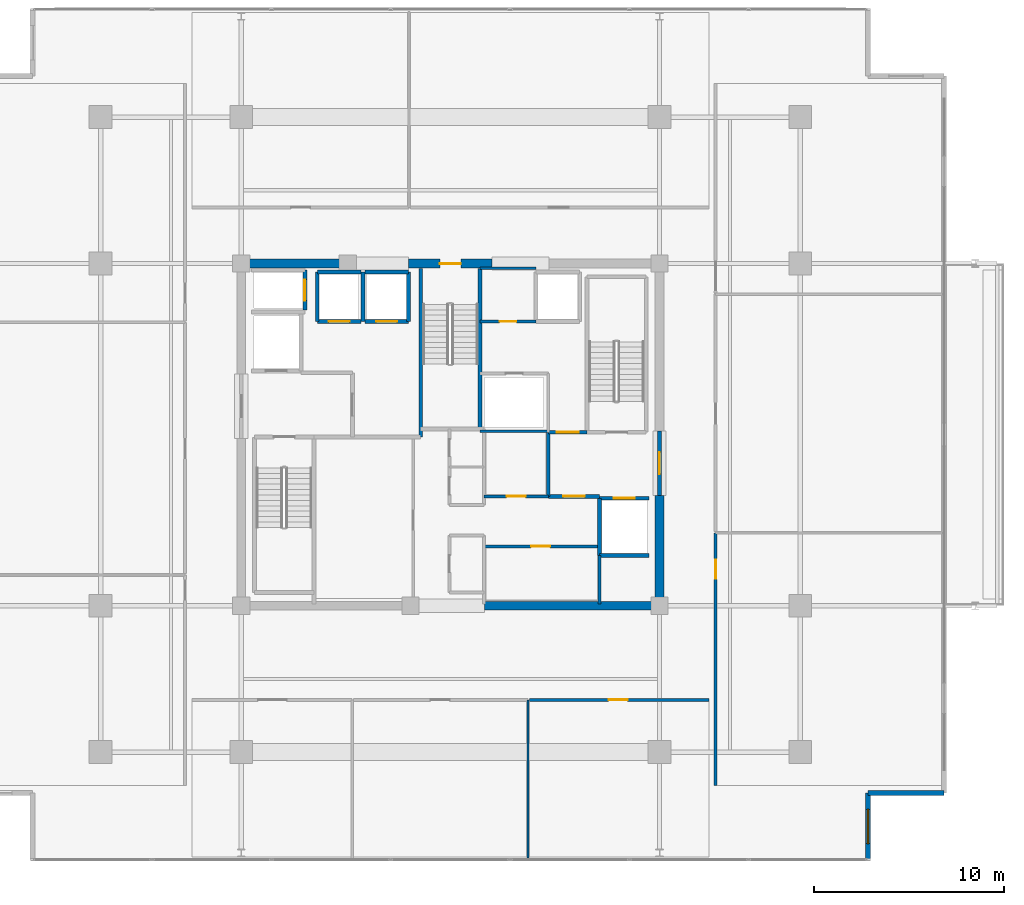
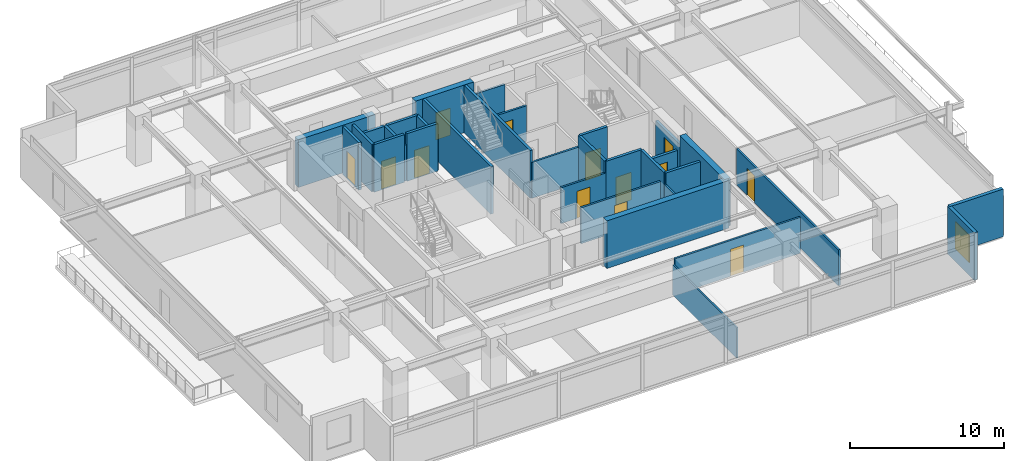
# One storey, part 15 of 21: 32 walls, 13 doors, 1 window, 14 openings.
"""IFC4 building model written with IfcOpenShell, lengths in metres."""

from ifc_helpers import new_model, si_unit, direction, frame, frame_2d, origin, place, context, subcontext, project, spatial, rectangle, extrude, material, layer, layer_set, type_object, element, fill, save


model = new_model("IFC4")

# Units and contexts
model_context = context("Model", 3, precision=1e-05, world=origin(), true_north=direction((0.0, 1.0)))
body_context = subcontext(model_context, "Body", "Model", "MODEL_VIEW")
ifc_project = project(units=[si_unit("LENGTHUNIT", "METRE"), si_unit("AREAUNIT", "SQUARE_METRE"), si_unit("VOLUMEUNIT", "CUBIC_METRE"), si_unit("PLANEANGLEUNIT", "RADIAN"), si_unit("MASSUNIT", "GRAM", prefix="KILO")], contexts=[model_context])

# Site, building, storey
site_placement = place(None, origin())
site = spatial("IfcSite", under=ifc_project, at=site_placement, CompositionType="ELEMENT")
building_placement = place(site_placement, origin())
building = spatial("IfcBuilding", under=site, at=building_placement, Name="Kovane Verandah Tower", CompositionType="ELEMENT")
storey_placement = place(building_placement, frame((0.0, 0.0, 275.199951171875)))
storey = spatial("IfcBuildingStorey", under=building, at=storey_placement, Name="L64", CompositionType="ELEMENT", Elevation=275.199951171875)

# Walls
ifc_material_1 = material(Name="Fire-Rated Gypsum Stud Partition", Category="gypsum")
ifc_layer_1 = layer(ifc_material_1, 0.14990234375)
ifc_layer_set_1 = layer_set([ifc_layer_1], Name="Fire-Rated Gypsum Stud Partition")
wall_type_1 = type_object("IfcWallType", Name="WL-COR-150", PredefinedType="PARTITIONING", material=ifc_layer_set_1)
wall_1_placement = place(storey_placement, frame((41.56005859375, 27.679931640625, 0.0), z_axis=(0.0, 0.0, 1.0), x_axis=(1.0, 0.0, 0.0)))
element("IfcWall", 1, at=wall_1_placement, inside=storey, type_object=wall_type_1, Name="L64 East Core Service Riser South Wall", PredefinedType="PARTITIONING", context=body_context, shape_type="SweptSolid", body=[
    extrude(rectangle(XDim=3.58984375, YDim=0.14990234375, at=frame_2d((1.794921875, 0.0))), origin(), (0.0, 0.0, 1.0), 2.85009765625),
])
wall_2_placement = place(storey_placement, frame((47.85009765625, 18.60009765625, 0.0), z_axis=(0.0, 0.0, 1.0), x_axis=(0.0, 1.0, 0.0)))
element("IfcWall", 2, at=wall_2_placement, inside=storey, type_object=wall_type_1, Name="L64 East Core Support East Wall", PredefinedType="PARTITIONING", context=body_context, shape_type="SweptSolid", body=[
    extrude(rectangle(XDim=2.539794921875, YDim=0.14990234375, at=frame_2d((1.27001953125, 0.0))), origin(), (0.0, 0.0, 1.0), 2.85009765625),
])

# Wall, opening, door
wall_3_placement = place(storey_placement, frame((41.760009765625, 21.6201171875, 0.0), z_axis=(0.0, 0.0, 1.0), x_axis=(1.0, 0.0, 0.0)))
wall_3 = element("IfcWall", 3, at=wall_3_placement, inside=storey, type_object=wall_type_1, Name="L64 Records Vault Room Partition", PredefinedType="PARTITIONING", context=body_context, shape_type="SweptSolid", body=[
    extrude(rectangle(XDim=5.97998046875, YDim=0.14990234375, at=frame_2d((2.989990234375, 0.0))), origin(), (0.0, 0.0, 1.0), 2.85009765625),
])
opening_1_placement = place(wall_3_placement, frame((2.489990234375, 0.0, 0.0)))
opening_1 = element("IfcOpeningElement", 4, at=opening_1_placement, cuts=wall_3, Name="Opening DR-L64-015", PredefinedType="OPENING", context=body_context, shape_type="SweptSolid", body=[
    extrude(rectangle(XDim=1.0, YDim=2.14990234375, at=frame_2d((0.5, 1.074951171875))), frame((0.0, 0.074951171875, 0.0), z_axis=(0.0, -1.0, 0.0), x_axis=(1.0, 0.0, 0.0)), (0.0, 0.0, 1.0), 0.14990234375),
])
ifc_material_2 = material(Name="FSC Spotted-Gum Timber Fire-Rated Office Door", Category="wood")
door_type_1 = type_object("IfcDoorType", Name="DR-OFF-1000", OperationType="SINGLE_SWING_LEFT", PredefinedType="DOOR", material=ifc_material_2)
door_1_placement = place(opening_1_placement, origin())
door_1 = element("IfcDoor", 5, at=door_1_placement, inside=storey, type_object=door_type_1, Name="L64 Records Vault Room Door", OperationType="SINGLE_SWING_RIGHT", OverallHeight=2.14990234375, OverallWidth=1.0, PredefinedType="DOOR", context=body_context, shape_type="SweptSolid", body=[
    extrude(rectangle(XDim=1.0, YDim=2.14990234375, at=frame_2d((0.5, 1.074951171875))), frame((0.0, 0.02490234375, 0.0), z_axis=(0.0, -1.0, 0.0), x_axis=(1.0, 0.0, 0.0)), (0.0, 0.0, 1.0), 0.050048828125),
])
fill(opening_1, door_1)

wall_4_placement = place(storey_placement, frame((41.760009765625, 24.25, 0.0), z_axis=(0.0, 0.0, 1.0), x_axis=(1.0, 0.0, 0.0)))
wall_4 = element("IfcWall", 6, at=wall_4_placement, inside=storey, type_object=wall_type_1, Name="L64 Document Archive Room Partition", PredefinedType="PARTITIONING", context=body_context, shape_type="SweptSolid", body=[
    extrude(rectangle(XDim=3.389892578125, YDim=0.14990234375, at=frame_2d((1.69482421875, 0.0))), origin(), (0.0, 0.0, 1.0), 2.85009765625),
])
opening_2_placement = place(wall_4_placement, frame((1.195068359375, 0.0, 0.0)))
opening_2 = element("IfcOpeningElement", 7, at=opening_2_placement, cuts=wall_4, Name="Opening DR-L64-016", PredefinedType="OPENING", context=body_context, shape_type="SweptSolid", body=[
    extrude(rectangle(XDim=1.0, YDim=2.14990234375, at=frame_2d((0.5, 1.074951171875))), frame((0.0, 0.074951171875, 0.0), z_axis=(0.0, -1.0, 0.0), x_axis=(1.0, 0.0, 0.0)), (0.0, 0.0, 1.0), 0.14990234375),
])
door_2_placement = place(opening_2_placement, origin())
door_2 = element("IfcDoor", 8, at=door_2_placement, inside=storey, type_object=door_type_1, Name="L64 Document Archive Room Door", OperationType="SINGLE_SWING_LEFT", OverallHeight=2.14990234375, OverallWidth=1.0, PredefinedType="DOOR", context=body_context, shape_type="SweptSolid", body=[
    extrude(rectangle(XDim=1.0, YDim=2.14990234375, at=frame_2d((0.5, 1.074951171875))), frame((0.0, 0.02490234375, 0.0), z_axis=(0.0, -1.0, 0.0), x_axis=(1.0, 0.0, 0.0)), (0.0, 0.0, 1.0), 0.050048828125),
])
fill(opening_2, door_2)

# Wall
wall_5_placement = place(storey_placement, frame((41.56005859375, 36.25, 0.0), z_axis=(0.0, 0.0, 1.0), x_axis=(1.0, 0.0, 0.0)))
element("IfcWall", 9, at=wall_5_placement, inside=storey, type_object=wall_type_1, Name="L64 Sky Telecom Riser North Wall", PredefinedType="PARTITIONING", context=body_context, shape_type="SweptSolid", body=[
    extrude(rectangle(XDim=2.93994140625, YDim=0.14990234375, at=frame_2d((1.469970703125, 0.0))), origin(), (0.0, 0.0, 1.0), 2.85009765625),
])

# Wall, opening, door
wall_6_placement = place(storey_placement, frame((41.56005859375, 33.449951171875, 0.0), z_axis=(0.0, 0.0, 1.0), x_axis=(1.0, 0.0, 0.0)))
wall_6 = element("IfcWall", 10, at=wall_6_placement, inside=storey, type_object=wall_type_1, Name="L64 Sky Telecom Riser Room Partition", PredefinedType="PARTITIONING", context=body_context, shape_type="SweptSolid", body=[
    extrude(rectangle(XDim=2.93994140625, YDim=0.14990234375, at=frame_2d((1.469970703125, 0.0))), origin(), (0.0, 0.0, 1.0), 2.85009765625),
])
opening_3_placement = place(wall_6_placement, frame((1.030029296875, 0.0, 0.0)))
opening_3 = element("IfcOpeningElement", 11, at=opening_3_placement, cuts=wall_6, Name="Opening DR-L64-017", PredefinedType="OPENING", context=body_context, shape_type="SweptSolid", body=[
    extrude(rectangle(XDim=0.8798828125, YDim=2.10009765625, at=frame_2d((0.43994140625, 1.050048828125))), frame((0.0, 0.074951171875, 0.0), z_axis=(0.0, -1.0, 0.0), x_axis=(1.0, 0.0, 0.0)), (0.0, 0.0, 1.0), 0.14990234375),
])
ifc_material_3 = material(Name="Fire-Rated Steel Riser Access Door", Category="steel")
door_type_2 = type_object("IfcDoorType", Name="DR-RISER-880", OperationType="SINGLE_SWING_LEFT", PredefinedType="DOOR", material=ifc_material_3)
door_3_placement = place(opening_3_placement, origin())
door_3 = element("IfcDoor", 12, at=door_3_placement, inside=storey, type_object=door_type_2, Name="L64 Sky Telecom Riser Room Door", OperationType="SINGLE_SWING_LEFT", OverallHeight=2.10009765625, OverallWidth=0.8798828125, PredefinedType="DOOR", context=body_context, shape_type="SweptSolid", body=[
    extrude(rectangle(XDim=0.8798828125, YDim=2.10009765625, at=frame_2d((0.43994140625, 1.050048828125))), frame((0.0, 0.02490234375, 0.0), z_axis=(0.0, -1.0, 0.0), x_axis=(1.0, 0.0, 0.0)), (0.0, 0.0, 1.0), 0.050048828125),
])
fill(opening_3, door_3)

wall_7_placement = place(storey_placement, frame((44.14990234375, 13.550048828125, 0.0), z_axis=(0.0, 0.0, 1.0), x_axis=(1.0, 0.0, 0.0)))
wall_7 = element("IfcWall", 13, at=wall_7_placement, inside=storey, type_object=wall_type_1, Name="L64 Focus Studio S3 Corridor Partition", PredefinedType="PARTITIONING", context=body_context, shape_type="SweptSolid", body=[
    extrude(rectangle(XDim=9.4501953125, YDim=0.14990234375, at=frame_2d((4.72509765625, 0.0))), origin(), (0.0, 0.0, 1.0), 2.85009765625),
])
opening_4_placement = place(wall_7_placement, frame((4.175048828125, 0.0, 0.0)))
opening_4 = element("IfcOpeningElement", 14, at=opening_4_placement, cuts=wall_7, Name="Opening DR-L64-023", PredefinedType="OPENING", context=body_context, shape_type="SweptSolid", body=[
    extrude(rectangle(XDim=1.0, YDim=2.14990234375, at=frame_2d((0.5, 1.074951171875))), frame((0.0, 0.074951171875, 0.0), z_axis=(0.0, -1.0, 0.0), x_axis=(1.0, 0.0, 0.0)), (0.0, 0.0, 1.0), 0.14990234375),
])
door_4_placement = place(opening_4_placement, origin())
door_4 = element("IfcDoor", 15, at=door_4_placement, inside=storey, type_object=door_type_1, Name="L64 Focus Studio S3 Entrance Door", OperationType="SINGLE_SWING_RIGHT", OverallHeight=2.14990234375, OverallWidth=1.0, PredefinedType="DOOR", context=body_context, shape_type="SweptSolid", body=[
    extrude(rectangle(XDim=1.0, YDim=2.14990234375, at=frame_2d((0.5, 1.074951171875))), frame((0.0, 0.02490234375, 0.0), z_axis=(0.0, -1.0, 0.0), x_axis=(1.0, 0.0, 0.0)), (0.0, 0.0, 1.0), 0.050048828125),
])
fill(opening_4, door_4)

wall_8_placement = place(storey_placement, frame((53.949951171875, 9.039794921875, 0.0), z_axis=(0.0, 0.0, 1.0), x_axis=(0.0, 1.0, 0.0)))
wall_8 = element("IfcWall", 16, at=wall_8_placement, inside=storey, type_object=wall_type_1, Name="L64 Open Plan Office E1 Corridor Partition", PredefinedType="PARTITIONING", context=body_context, shape_type="SweptSolid", body=[
    extrude(rectangle(XDim=13.29150390625, YDim=0.14990234375, at=frame_2d((6.645751953125, 0.0))), origin(), (0.0, 0.0, 1.0), 2.85009765625),
])
opening_5_placement = place(wall_8_placement, frame((10.890625, 0.0, 0.0)))
opening_5 = element("IfcOpeningElement", 17, at=opening_5_placement, cuts=wall_8, Name="Opening DR-L64-011", PredefinedType="OPENING", context=body_context, shape_type="SweptSolid", body=[
    extrude(rectangle(XDim=1.0, YDim=2.14990234375, at=frame_2d((0.5, 1.074951171875))), frame((0.0, 0.074951171875, 0.0), z_axis=(0.0, -1.0, 0.0), x_axis=(1.0, 0.0, 0.0)), (0.0, 0.0, 1.0), 0.14990234375),
])
door_5_placement = place(opening_5_placement, origin())
door_5 = element("IfcDoor", 18, at=door_5_placement, inside=storey, type_object=door_type_1, Name="L64 Open Plan Office E1 Entrance Door", OperationType="SINGLE_SWING_RIGHT", OverallHeight=2.14990234375, OverallWidth=1.0, PredefinedType="DOOR", context=body_context, shape_type="SweptSolid", body=[
    extrude(rectangle(XDim=1.0, YDim=2.14990234375, at=frame_2d((0.5, 1.074951171875))), frame((0.0, 0.02490234375, 0.0), z_axis=(0.0, -1.0, 0.0), x_axis=(1.0, 0.0, 0.0)), (0.0, 0.0, 1.0), 0.050048828125),
])
fill(opening_5, door_5)

# Walls
ifc_material_4 = material(Name="Concrete C60/75", Category="concrete")
ifc_layer_2 = layer(ifc_material_4, 0.449951171875)
ifc_layer_set_2 = layer_set([ifc_layer_2], Name="Concrete C60/75")
wall_type_2 = type_object("IfcWallType", Name="WL-CORE-450", PredefinedType="SHEAR", material=ifc_layer_set_2)
wall_9_placement = place(storey_placement, frame((41.800048828125, 18.5, 0.0), z_axis=(0.0, 0.0, 1.0), x_axis=(1.0, 0.0, 0.0)))
element("IfcWall", 19, at=wall_9_placement, inside=storey, type_object=wall_type_2, Name="L64 Core Shear Wall CS-2", PredefinedType="SHEAR", context=body_context, shape_type="SweptSolid", body=[
    extrude(rectangle(XDim=9.199951171875, YDim=0.449951171875, at=frame_2d((4.60009765625, 0.0))), origin(), (0.0, 0.0, 1.0), 3.78515625),
])
wall_10_placement = place(storey_placement, frame((29.0, 36.5, 0.0), z_axis=(0.0, 0.0, 1.0), x_axis=(1.0, 0.0, 0.0)))
element("IfcWall", 20, at=wall_10_placement, inside=storey, type_object=wall_type_2, Name="L64 Core Shear Wall CN-1", PredefinedType="SHEAR", context=body_context, shape_type="SweptSolid", body=[
    extrude(rectangle(XDim=5.800048828125, YDim=0.449951171875, at=frame_2d((2.89990234375, 0.0))), origin(), (0.0, 0.0, 1.0), 3.78515625),
])

# Wall, opening, door
wall_11_placement = place(storey_placement, frame((37.800048828125, 36.5, 0.0), z_axis=(0.0, 0.0, 1.0), x_axis=(1.0, 0.0, 0.0)))
wall_11 = element("IfcWall", 21, at=wall_11_placement, inside=storey, type_object=wall_type_2, Name="L64 Core Shear Wall CN-2", PredefinedType="SHEAR", context=body_context, shape_type="SweptSolid", body=[
    extrude(rectangle(XDim=4.39990234375, YDim=0.449951171875, at=frame_2d((2.199951171875, 0.0))), origin(), (0.0, 0.0, 1.0), 3.78515625),
])
opening_6_placement = place(wall_11_placement, frame((1.64990234375, 0.0, 0.0)))
opening_6 = element("IfcOpeningElement", 22, at=opening_6_placement, cuts=wall_11, Name="Opening DR-L64-010", PredefinedType="OPENING", context=body_context, shape_type="SweptSolid", body=[
    extrude(rectangle(XDim=1.10009765625, YDim=2.14990234375, at=frame_2d((0.550048828125, 1.074951171875))), frame((0.0, 0.22509765625, 0.0), z_axis=(0.0, -1.0, 0.0), x_axis=(1.0, 0.0, 0.0)), (0.0, 0.0, 1.0), 0.449951171875),
])
ifc_material_5 = material(Name="Fire-Rated Steel Exit Door", Category="steel")
door_type_3 = type_object("IfcDoorType", Name="DR-STAIR-1100", OperationType="SINGLE_SWING_LEFT", PredefinedType="DOOR", material=ifc_material_5)
door_6_placement = place(opening_6_placement, origin())
door_6 = element("IfcDoor", 23, at=door_6_placement, inside=storey, type_object=door_type_3, Name="L64 ST-03 Fire Exit Stair Door", OperationType="SINGLE_SWING_LEFT", OverallHeight=2.14990234375, OverallWidth=1.10009765625, PredefinedType="DOOR", context=body_context, shape_type="SweptSolid", body=[
    extrude(rectangle(XDim=1.10009765625, YDim=2.14990234375, at=frame_2d((0.550048828125, 1.074951171875))), frame((0.0, 0.02490234375, 0.0), z_axis=(0.0, -1.0, 0.0), x_axis=(1.0, 0.0, 0.0)), (0.0, 0.0, 1.0), 0.050048828125),
])
fill(opening_6, door_6)

# Walls
wall_12_placement = place(storey_placement, frame((51.0, 18.5, 0.0), z_axis=(0.0, 0.0, 1.0), x_axis=(0.0, 1.0, 0.0)))
element("IfcWall", 24, at=wall_12_placement, inside=storey, type_object=wall_type_2, Name="L64 Core Shear Wall CE-1", PredefinedType="SHEAR", context=body_context, shape_type="SweptSolid", body=[
    extrude(rectangle(XDim=5.800048828125, YDim=0.449951171875, at=frame_2d((2.89990234375, 0.0))), origin(), (0.0, 0.0, 1.0), 3.78515625),
])
ifc_material_6 = material(Name="Concrete C45/55 Fire Wall", Category="concrete")
ifc_layer_3 = layer(ifc_material_6, 0.199951171875)
ifc_layer_set_3 = layer_set([ifc_layer_3], Name="Concrete C45/55 Fire Wall")
wall_type_3 = type_object("IfcWallType", Name="WL-FFL-200", PredefinedType="PARTITIONING", material=ifc_layer_set_3)
wall_13_placement = place(storey_placement, frame((45.14990234375, 24.25, 0.0), z_axis=(0.0, 0.0, 1.0), x_axis=(0.0, 1.0, 0.0)))
element("IfcWall", 25, at=wall_13_placement, inside=storey, type_object=wall_type_3, Name="L64 East Firefighting Lobby West Fire Wall", PredefinedType="PARTITIONING", context=body_context, shape_type="SweptSolid", body=[
    extrude(rectangle(XDim=3.3701171875, YDim=0.199951171875, at=frame_2d((1.68505859375, 0.0))), origin(), (0.0, 0.0, 1.0), 3.78515625),
])

# Wall, opening, door
wall_14_placement = place(storey_placement, frame((45.14990234375, 24.25, 0.0), z_axis=(0.0, 0.0, 1.0), x_axis=(1.0, 0.0, 0.0)))
wall_14 = element("IfcWall", 26, at=wall_14_placement, inside=storey, type_object=wall_type_3, Name="W-L64-FFLE-S", PredefinedType="PARTITIONING", context=body_context, shape_type="SweptSolid", body=[
    extrude(rectangle(XDim=2.7001953125, YDim=0.199951171875, at=frame_2d((1.35009765625, 0.0))), origin(), (0.0, 0.0, 1.0), 3.78515625),
])
opening_7_placement = place(wall_14_placement, frame((0.77490234375, 0.0, 0.0)))
opening_7 = element("IfcOpeningElement", 27, at=opening_7_placement, cuts=wall_14, Name="Opening DR-L64-003", PredefinedType="OPENING", context=body_context, shape_type="SweptSolid", body=[
    extrude(rectangle(XDim=1.14990234375, YDim=2.199951171875, at=frame_2d((0.574951171875, 1.10009765625))), frame((0.0, 0.10009765625, 0.0), z_axis=(0.0, -1.0, 0.0), x_axis=(1.0, 0.0, 0.0)), (0.0, 0.0, 1.0), 0.199951171875),
])
ifc_material_7 = material(Name="Smoke-Sealed Firefighting Lobby Door", Category="steel")
door_type_4 = type_object("IfcDoorType", Name="DR-FFL-1150", OperationType="SINGLE_SWING_LEFT", PredefinedType="DOOR", material=ifc_material_7)
door_7_placement = place(opening_7_placement, origin())
door_7 = element("IfcDoor", 28, at=door_7_placement, inside=storey, type_object=door_type_4, Name="L64 East Firefighting Lobby Inner Door", OperationType="SINGLE_SWING_RIGHT", OverallHeight=2.199951171875, OverallWidth=1.14990234375, PredefinedType="DOOR", context=body_context, shape_type="SweptSolid", body=[
    extrude(rectangle(XDim=1.14990234375, YDim=2.199951171875, at=frame_2d((0.574951171875, 1.10009765625))), frame((0.0, 0.02490234375, 0.0), z_axis=(0.0, -1.0, 0.0), x_axis=(1.0, 0.0, 0.0)), (0.0, 0.0, 1.0), 0.050048828125),
])
fill(opening_7, door_7)

wall_15_placement = place(storey_placement, frame((45.14990234375, 27.6201171875, 0.0), z_axis=(0.0, 0.0, 1.0), x_axis=(1.0, 0.0, 0.0)))
wall_15 = element("IfcWall", 29, at=wall_15_placement, inside=storey, type_object=wall_type_3, Name="W-L64-FFLE-N", PredefinedType="PARTITIONING", context=body_context, shape_type="SweptSolid", body=[
    extrude(rectangle(XDim=2.030029296875, YDim=0.199951171875, at=frame_2d((1.01513671875, 0.0))), origin(), (0.0, 0.0, 1.0), 3.78515625),
])
opening_8_placement = place(wall_15_placement, frame((0.43994140625, 0.0, 0.0)))
opening_8 = element("IfcOpeningElement", 30, at=opening_8_placement, cuts=wall_15, Name="Opening DR-L64-004", PredefinedType="OPENING", context=body_context, shape_type="SweptSolid", body=[
    extrude(rectangle(XDim=1.14990234375, YDim=2.199951171875, at=frame_2d((0.574951171875, 1.10009765625))), frame((0.0, 0.10009765625, 0.0), z_axis=(0.0, -1.0, 0.0), x_axis=(1.0, 0.0, 0.0)), (0.0, 0.0, 1.0), 0.199951171875),
])
door_8_placement = place(opening_8_placement, origin())
door_8 = element("IfcDoor", 31, at=door_8_placement, inside=storey, type_object=door_type_4, Name="L64 East Firefighting Lobby Shuttle Link Door", OperationType="SINGLE_SWING_LEFT", OverallHeight=2.199951171875, OverallWidth=1.14990234375, PredefinedType="DOOR", context=body_context, shape_type="SweptSolid", body=[
    extrude(rectangle(XDim=1.14990234375, YDim=2.199951171875, at=frame_2d((0.574951171875, 1.10009765625))), frame((0.0, 0.02490234375, 0.0), z_axis=(0.0, -1.0, 0.0), x_axis=(1.0, 0.0, 0.0)), (0.0, 0.0, 1.0), 0.050048828125),
])
fill(opening_8, door_8)

wall_16_placement = place(storey_placement, frame((51.0, 24.300048828125, 0.0), z_axis=(0.0, 0.0, 1.0), x_axis=(0.0, 1.0, 0.0)))
wall_16 = element("IfcWall", 32, at=wall_16_placement, inside=storey, type_object=wall_type_3, Name="W-L64-FFLE-OUT", PredefinedType="PARTITIONING", context=body_context, shape_type="SweptSolid", body=[
    extrude(rectangle(XDim=3.39990234375, YDim=0.199951171875, at=frame_2d((1.699951171875, 0.0))), origin(), (0.0, 0.0, 1.0), 2.864990234375),
])
opening_9_placement = place(wall_16_placement, frame((1.125, 0.0, 0.0)))
opening_9 = element("IfcOpeningElement", 33, at=opening_9_placement, cuts=wall_16, Name="Opening DR-L64-005", PredefinedType="OPENING", context=body_context, shape_type="SweptSolid", body=[
    extrude(rectangle(XDim=1.14990234375, YDim=2.199951171875, at=frame_2d((0.574951171875, 1.10009765625))), frame((0.0, 0.10009765625, 0.0), z_axis=(0.0, -1.0, 0.0), x_axis=(1.0, 0.0, 0.0)), (0.0, 0.0, 1.0), 0.199951171875),
])
door_9_placement = place(opening_9_placement, origin())
door_9 = element("IfcDoor", 34, at=door_9_placement, inside=storey, type_object=door_type_4, Name="L64 East Firefighting Lobby Corridor Door", OperationType="SINGLE_SWING_LEFT", OverallHeight=2.199951171875, OverallWidth=1.14990234375, PredefinedType="DOOR", context=body_context, shape_type="SweptSolid", body=[
    extrude(rectangle(XDim=1.14990234375, YDim=2.199951171875, at=frame_2d((0.574951171875, 1.10009765625))), frame((0.0, 0.02490234375, 0.0), z_axis=(0.0, -1.0, 0.0), x_axis=(1.0, 0.0, 0.0)), (0.0, 0.0, 1.0), 0.050048828125),
])
fill(opening_9, door_9)

# Wall
ifc_material_8 = material(Name="Concrete C45/55 Lift Shaft Wall", Category="concrete")
ifc_layer_4 = layer(ifc_material_8, 0.199951171875)
ifc_layer_set_4 = layer_set([ifc_layer_4], Name="Concrete C45/55 Lift Shaft Wall")
wall_type_4 = type_object("IfcWallType", Name="WL-LIFT-200", PredefinedType="SOLIDWALL", material=ifc_layer_set_4)
wall_17_placement = place(storey_placement, frame((47.85009765625, 21.14990234375, 0.0), z_axis=(0.0, 0.0, 1.0), x_axis=(1.0, 0.0, 0.0)))
element("IfcWall", 35, at=wall_17_placement, inside=storey, type_object=wall_type_4, Name="L64 Lift FL-02 S Shaft Wall", PredefinedType="SOLIDWALL", context=body_context, shape_type="SweptSolid", body=[
    extrude(rectangle(XDim=2.599853515625, YDim=0.199951171875, at=frame_2d((1.2998046875, 0.0))), origin(), (0.0, 0.0, 1.0), 3.78515625),
])

# Wall, opening, door
wall_18_placement = place(storey_placement, frame((50.449951171875, 24.14990234375, 0.0), z_axis=(0.0, 0.0, 1.0), x_axis=(-1.0, 0.0, 0.0)))
wall_18 = element("IfcWall", 36, at=wall_18_placement, inside=storey, type_object=wall_type_4, Name="L64 Lift FL-02 N Shaft Wall", PredefinedType="SOLIDWALL", context=body_context, shape_type="SweptSolid", body=[
    extrude(rectangle(XDim=2.599853515625, YDim=0.199951171875, at=frame_2d((1.2998046875, 0.0))), origin(), (0.0, 0.0, 1.0), 2.864990234375),
])
opening_10_placement = place(wall_18_placement, frame((0.75, 0.0, 0.0)))
opening_10 = element("IfcOpeningElement", 37, at=opening_10_placement, cuts=wall_18, Name="Opening LD-L64-002", PredefinedType="OPENING", context=body_context, shape_type="SweptSolid", body=[
    extrude(rectangle(XDim=1.10009765625, YDim=2.199951171875, at=frame_2d((0.550048828125, 1.10009765625))), frame((0.0, 0.10009765625, 0.0), z_axis=(0.0, -1.0, 0.0), x_axis=(1.0, 0.0, 0.0)), (0.0, 0.0, 1.0), 0.199951171875),
])
ifc_material_9 = material(Name="Brushed Stainless Steel Sliding Lift Landing Door", Category="steel")
door_type_5 = type_object("IfcDoorType", Name="DR-LIFT-1100", OperationType="SLIDING_TO_RIGHT", PredefinedType="DOOR", material=ifc_material_9)
door_10_placement = place(opening_10_placement, origin())
door_10 = element("IfcDoor", 38, at=door_10_placement, inside=storey, type_object=door_type_5, Name="L64 Lift FL-02 Sliding Landing Door", OperationType="SLIDING_TO_RIGHT", OverallHeight=2.199951171875, OverallWidth=1.10009765625, PredefinedType="DOOR", context=body_context, shape_type="SweptSolid", body=[
    extrude(rectangle(XDim=1.10009765625, YDim=2.199951171875, at=frame_2d((0.550048828125, 1.10009765625))), frame((0.0, 0.02490234375, 0.0), z_axis=(0.0, -1.0, 0.0), x_axis=(1.0, 0.0, 0.0)), (0.0, 0.0, 1.0), 0.050048828125),
])
fill(opening_10, door_10)

# Wall
wall_19_placement = place(storey_placement, frame((47.85009765625, 24.14990234375, 0.0), z_axis=(0.0, 0.0, 1.0), x_axis=(0.0, -1.0, 0.0)))
element("IfcWall", 39, at=wall_19_placement, inside=storey, type_object=wall_type_4, Name="L64 Lift FL-02 W Shaft Wall", PredefinedType="SOLIDWALL", context=body_context, shape_type="SweptSolid", body=[
    extrude(rectangle(XDim=3.0, YDim=0.199951171875, at=frame_2d((1.5, 0.0))), origin(), (0.0, 0.0, 1.0), 3.78515625),
])

# Wall, opening, door
wall_20_placement = place(storey_placement, frame((32.35009765625, 34.050048828125, 0.0), z_axis=(0.0, 0.0, 1.0), x_axis=(0.0, 1.0, 0.0)))
wall_20 = element("IfcWall", 40, at=wall_20_placement, inside=storey, type_object=wall_type_4, Name="L64 Lift GL-01 E Shaft Wall", PredefinedType="SOLIDWALL", context=body_context, shape_type="SweptSolid", body=[
    extrude(rectangle(XDim=2.099853515625, YDim=0.199951171875, at=frame_2d((1.0498046875, 0.0))), origin(), (0.0, 0.0, 1.0), 3.78515625),
])
opening_11_placement = place(wall_20_placement, frame((0.5, 0.0, 0.0)))
opening_11 = element("IfcOpeningElement", 41, at=opening_11_placement, cuts=wall_20, Name="Opening LD-L64-003", PredefinedType="OPENING", context=body_context, shape_type="SweptSolid", body=[
    extrude(rectangle(XDim=1.10009765625, YDim=2.199951171875, at=frame_2d((0.550048828125, 1.10009765625))), frame((0.0, 0.10009765625, 0.0), z_axis=(0.0, -1.0, 0.0), x_axis=(1.0, 0.0, 0.0)), (0.0, 0.0, 1.0), 0.199951171875),
])
door_11_placement = place(opening_11_placement, origin())
door_11 = element("IfcDoor", 42, at=door_11_placement, inside=storey, type_object=door_type_5, Name="L64 Lift GL-01 Sliding Landing Door", OperationType="SLIDING_TO_RIGHT", OverallHeight=2.199951171875, OverallWidth=1.10009765625, PredefinedType="DOOR", context=body_context, shape_type="SweptSolid", body=[
    extrude(rectangle(XDim=1.10009765625, YDim=2.199951171875, at=frame_2d((0.550048828125, 1.10009765625))), frame((0.0, 0.02490234375, 0.0), z_axis=(0.0, -1.0, 0.0), x_axis=(1.0, 0.0, 0.0)), (0.0, 0.0, 1.0), 0.050048828125),
])
fill(opening_11, door_11)

wall_21_placement = place(storey_placement, frame((33.0, 33.449951171875, 0.0), z_axis=(0.0, 0.0, 1.0), x_axis=(1.0, 0.0, 0.0)))
wall_21 = element("IfcWall", 43, at=wall_21_placement, inside=storey, type_object=wall_type_4, Name="L64 Lift PL-H1 S Shaft Wall", PredefinedType="SOLIDWALL", context=body_context, shape_type="SweptSolid", body=[
    extrude(rectangle(XDim=2.300048828125, YDim=0.199951171875, at=frame_2d((1.14990234375, 0.0))), origin(), (0.0, 0.0, 1.0), 3.78515625),
])
opening_12_placement = place(wall_21_placement, frame((0.60009765625, 0.0, 0.0)))
opening_12 = element("IfcOpeningElement", 44, at=opening_12_placement, cuts=wall_21, Name="Opening LD-L64-004", PredefinedType="OPENING", context=body_context, shape_type="SweptSolid", body=[
    extrude(rectangle(XDim=1.10009765625, YDim=2.199951171875, at=frame_2d((0.550048828125, 1.10009765625))), frame((0.0, 0.10009765625, 0.0), z_axis=(0.0, -1.0, 0.0), x_axis=(1.0, 0.0, 0.0)), (0.0, 0.0, 1.0), 0.199951171875),
])
door_12_placement = place(opening_12_placement, origin())
door_12 = element("IfcDoor", 45, at=door_12_placement, inside=storey, type_object=door_type_5, Name="L64 Lift PL-H1 Sliding Landing Door", OperationType="SLIDING_TO_RIGHT", OverallHeight=2.199951171875, OverallWidth=1.10009765625, PredefinedType="DOOR", context=body_context, shape_type="SweptSolid", body=[
    extrude(rectangle(XDim=1.10009765625, YDim=2.199951171875, at=frame_2d((0.550048828125, 1.10009765625))), frame((0.0, 0.02490234375, 0.0), z_axis=(0.0, -1.0, 0.0), x_axis=(1.0, 0.0, 0.0)), (0.0, 0.0, 1.0), 0.050048828125),
])
fill(opening_12, door_12)

# Walls
wall_22_placement = place(storey_placement, frame((35.300048828125, 36.050048828125, 0.0), z_axis=(0.0, 0.0, 1.0), x_axis=(-1.0, 0.0, 0.0)))
element("IfcWall", 46, at=wall_22_placement, inside=storey, type_object=wall_type_4, Name="L64 Lift PL-H1 N Shaft Wall", PredefinedType="SOLIDWALL", context=body_context, shape_type="SweptSolid", body=[
    extrude(rectangle(XDim=2.300048828125, YDim=0.199951171875, at=frame_2d((1.14990234375, 0.0))), origin(), (0.0, 0.0, 1.0), 2.864990234375),
])
wall_23_placement = place(storey_placement, frame((33.0, 36.050048828125, 0.0), z_axis=(0.0, 0.0, 1.0), x_axis=(0.0, -1.0, 0.0)))
element("IfcWall", 47, at=wall_23_placement, inside=storey, type_object=wall_type_4, Name="L64 Lift PL-H1 W Shaft Wall", PredefinedType="SOLIDWALL", context=body_context, shape_type="SweptSolid", body=[
    extrude(rectangle(XDim=2.60009765625, YDim=0.199951171875, at=frame_2d((1.300048828125, 0.0))), origin(), (0.0, 0.0, 1.0), 3.78515625),
])
wall_24_placement = place(storey_placement, frame((35.39990234375, 33.449951171875, 0.0), z_axis=(0.0, 0.0, 1.0), x_axis=(0.0, 1.0, 0.0)))
element("IfcWall", 48, at=wall_24_placement, inside=storey, type_object=wall_type_4, Name="L64 Lift PL-H1 and PL-H2 Shared Shaft Wall", PredefinedType="SOLIDWALL", context=body_context, shape_type="SweptSolid", body=[
    extrude(rectangle(XDim=2.60009765625, YDim=0.199951171875, at=frame_2d((1.300048828125, 0.0))), origin(), (0.0, 0.0, 1.0), 2.864990234375),
])

# Wall, opening, door
wall_25_placement = place(storey_placement, frame((35.5, 33.449951171875, 0.0), z_axis=(0.0, 0.0, 1.0), x_axis=(1.0, 0.0, 0.0)))
wall_25 = element("IfcWall", 49, at=wall_25_placement, inside=storey, type_object=wall_type_4, Name="L64 Lift PL-H2 S Shaft Wall", PredefinedType="SOLIDWALL", context=body_context, shape_type="SweptSolid", body=[
    extrude(rectangle(XDim=2.300048828125, YDim=0.199951171875, at=frame_2d((1.14990234375, 0.0))), origin(), (0.0, 0.0, 1.0), 3.78515625),
])
opening_13_placement = place(wall_25_placement, frame((0.60009765625, 0.0, 0.0)))
opening_13 = element("IfcOpeningElement", 50, at=opening_13_placement, cuts=wall_25, Name="Opening LD-L64-005", PredefinedType="OPENING", context=body_context, shape_type="SweptSolid", body=[
    extrude(rectangle(XDim=1.10009765625, YDim=2.199951171875, at=frame_2d((0.550048828125, 1.10009765625))), frame((0.0, 0.10009765625, 0.0), z_axis=(0.0, -1.0, 0.0), x_axis=(1.0, 0.0, 0.0)), (0.0, 0.0, 1.0), 0.199951171875),
])
door_13_placement = place(opening_13_placement, origin())
door_13 = element("IfcDoor", 51, at=door_13_placement, inside=storey, type_object=door_type_5, Name="L64 Lift PL-H2 Sliding Landing Door", OperationType="SLIDING_TO_RIGHT", OverallHeight=2.199951171875, OverallWidth=1.10009765625, PredefinedType="DOOR", context=body_context, shape_type="SweptSolid", body=[
    extrude(rectangle(XDim=1.10009765625, YDim=2.199951171875, at=frame_2d((0.550048828125, 1.10009765625))), frame((0.0, 0.02490234375, 0.0), z_axis=(0.0, -1.0, 0.0), x_axis=(1.0, 0.0, 0.0)), (0.0, 0.0, 1.0), 0.050048828125),
])
fill(opening_13, door_13)

# Walls
wall_26_placement = place(storey_placement, frame((37.800048828125, 36.050048828125, 0.0), z_axis=(0.0, 0.0, 1.0), x_axis=(-1.0, 0.0, 0.0)))
element("IfcWall", 52, at=wall_26_placement, inside=storey, type_object=wall_type_4, Name="L64 Lift PL-H2 N Shaft Wall", PredefinedType="SOLIDWALL", context=body_context, shape_type="SweptSolid", body=[
    extrude(rectangle(XDim=2.300048828125, YDim=0.199951171875, at=frame_2d((1.14990234375, 0.0))), origin(), (0.0, 0.0, 1.0), 2.864990234375),
])
wall_27_placement = place(storey_placement, frame((37.800048828125, 33.449951171875, 0.0), z_axis=(0.0, 0.0, 1.0), x_axis=(0.0, 1.0, 0.0)))
element("IfcWall", 53, at=wall_27_placement, inside=storey, type_object=wall_type_4, Name="L64 Lift PL-H2 E Shaft Wall", PredefinedType="SOLIDWALL", context=body_context, shape_type="SweptSolid", body=[
    extrude(rectangle(XDim=2.60009765625, YDim=0.199951171875, at=frame_2d((1.300048828125, 0.0))), origin(), (0.0, 0.0, 1.0), 2.864990234375),
])
ifc_material_10 = material(Name="Acoustic Fire-Rated Gypsum Partition", Category="gypsum")
ifc_layer_5 = layer(ifc_material_10, 0.1201171875)
ifc_layer_set_5 = layer_set([ifc_layer_5], Name="Acoustic Fire-Rated Gypsum Partition")
wall_type_5 = type_object("IfcWallType", Name="WL-PART-120", PredefinedType="PARTITIONING", material=ifc_layer_set_5)
wall_28_placement = place(storey_placement, frame((44.080078125, 5.239990234375, 0.0), z_axis=(0.0, 0.0, 1.0), x_axis=(0.0, 1.0, 0.0)))
element("IfcWall", 54, at=wall_28_placement, inside=storey, type_object=wall_type_5, Name="L64 Meeting Room S2 Dividing Partition", PredefinedType="PARTITIONING", context=body_context, shape_type="SweptSolid", body=[
    extrude(rectangle(XDim=8.31005859375, YDim=0.1201171875, at=frame_2d((4.155029296875, 0.0))), origin(), (0.0, 0.0, 1.0), 2.4150390625),
])
ifc_material_11 = material(Name="Concrete C45/55", Category="concrete")
ifc_layer_6 = layer(ifc_material_11, 0.199951171875)
ifc_layer_set_6 = layer_set([ifc_layer_6], Name="Concrete C45/55")
wall_type_6 = type_object("IfcWallType", Name="WL-SHAFT-200", PredefinedType="SOLIDWALL", material=ifc_layer_set_6)
wall_29_placement = place(storey_placement, frame((38.43994140625, 27.3798828125, 0.0), z_axis=(0.0, 0.0, 1.0), x_axis=(0.0, 1.0, 0.0)))
element("IfcWall", 55, at=wall_29_placement, inside=storey, type_object=wall_type_6, Name="W-L64-ST03-W", PredefinedType="SOLIDWALL", context=body_context, shape_type="SweptSolid", body=[
    extrude(rectangle(XDim=8.8701171875, YDim=0.199951171875, at=frame_2d((4.43505859375, 0.0))), origin(), (0.0, 0.0, 1.0), 3.78515625),
])
wall_30_placement = place(storey_placement, frame((41.56005859375, 27.679931640625, 0.0), z_axis=(0.0, 0.0, 1.0), x_axis=(0.0, 1.0, 0.0)))
element("IfcWall", 56, at=wall_30_placement, inside=storey, type_object=wall_type_6, Name="W-L64-ST03-E", PredefinedType="SOLIDWALL", context=body_context, shape_type="SweptSolid", body=[
    extrude(rectangle(XDim=8.570068359375, YDim=0.199951171875, at=frame_2d((4.28515625, 0.0))), origin(), (0.0, 0.0, 1.0), 3.78515625),
])

# Wall, opening, window
ifc_material_12 = material(Name="Concrete C45/55 Insulated Spandrel Wall", Category="concrete")
ifc_layer_7 = layer(ifc_material_12, 0.260009765625)
ifc_layer_set_7 = layer_set([ifc_layer_7], Name="Concrete C45/55 Insulated Spandrel Wall")
wall_type_7 = type_object("IfcWallType", Name="WL-SPANDREL-260", PredefinedType="PARAPET", material=ifc_layer_set_7)
wall_31_placement = place(storey_placement, frame((61.96923828125, 5.139892578125, 0.0), z_axis=(0.0, 0.0, 1.0), x_axis=(0.0, 1.0, 0.0)))
wall_31 = element("IfcWall", 57, at=wall_31_placement, inside=storey, type_object=wall_type_7, Name="L64 SE Notch Cheek Wall 1", PredefinedType="PARAPET", context=body_context, shape_type="SweptSolid", body=[
    extrude(rectangle(XDim=3.5, YDim=0.260009765625, at=frame_2d((1.75, 0.0))), origin(), (0.0, 0.0, 1.0), 3.78515625),
])
opening_14_placement = place(wall_31_placement, frame((0.85009765625, 0.0, 0.85009765625)))
opening_14 = element("IfcOpeningElement", 58, at=opening_14_placement, cuts=wall_31, Name="Opening W-03", PredefinedType="OPENING", context=body_context, shape_type="SweptSolid", body=[
    extrude(rectangle(XDim=1.800048828125, YDim=2.199951171875, at=frame_2d((0.89990234375, 1.10009765625))), frame((0.0, 0.1298828125, 0.0), z_axis=(0.0, -1.0, 0.0), x_axis=(1.0, 0.0, 0.0)), (0.0, 0.0, 1.0), 0.260009765625),
])
ifc_material_13 = material(Name="Clear Low-E Laminated Double Glazing in Anodised Frame", Category="glass")
window_type = type_object("IfcWindowType", Name="WN-NOTCH-1800x2200", PartitioningType="SINGLE_PANEL", PredefinedType="WINDOW", material=ifc_material_13)
window_placement = place(opening_14_placement, origin())
window = element("IfcWindow", 59, at=window_placement, inside=storey, type_object=window_type, Name="L64 SE Re-Entrant Corner Operable Window", OverallHeight=2.199951171875, OverallWidth=1.800048828125, PartitioningType="SINGLE_PANEL", PredefinedType="WINDOW", context=body_context, shape_type="SweptSolid", body=[
    extrude(rectangle(XDim=1.800048828125, YDim=2.199951171875, at=frame_2d((0.89990234375, 1.10009765625))), frame((0.0, 0.030029296875, 0.0), z_axis=(0.0, -1.0, 0.0), x_axis=(1.0, 0.0, 0.0)), (0.0, 0.0, 1.0), 0.06005859375),
])
fill(opening_14, window)

# Wall
wall_32_placement = place(storey_placement, frame((61.96923828125, 8.639892578125, 0.0), z_axis=(0.0, 0.0, 1.0), x_axis=(1.0, 0.0, 0.0)))
element("IfcWall", 60, at=wall_32_placement, inside=storey, type_object=wall_type_7, Name="L64 SE Notch Cheek Wall 2", PredefinedType="PARAPET", context=body_context, shape_type="SweptSolid", body=[
    extrude(rectangle(XDim=4.0, YDim=0.260009765625, at=frame_2d((2.0, 0.0))), origin(), (0.0, 0.0, 1.0), 3.78515625),
])

save(model, "model.ifc")
